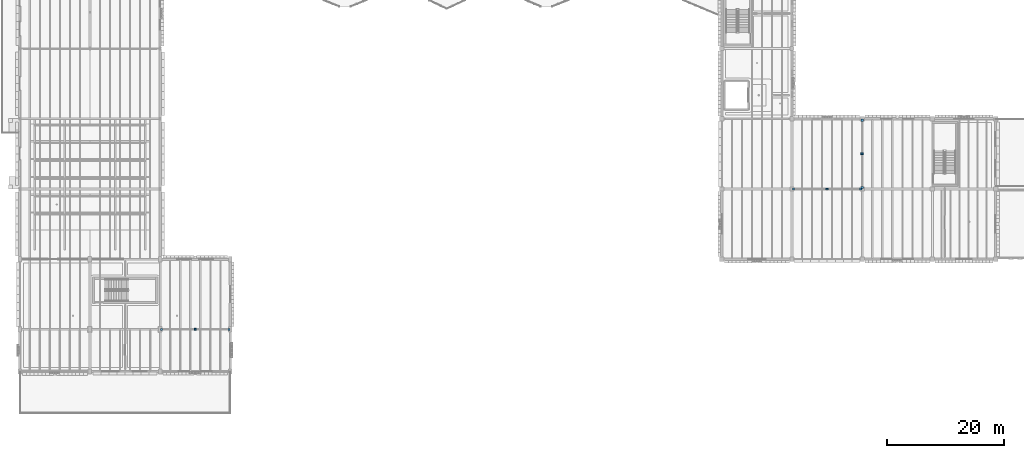
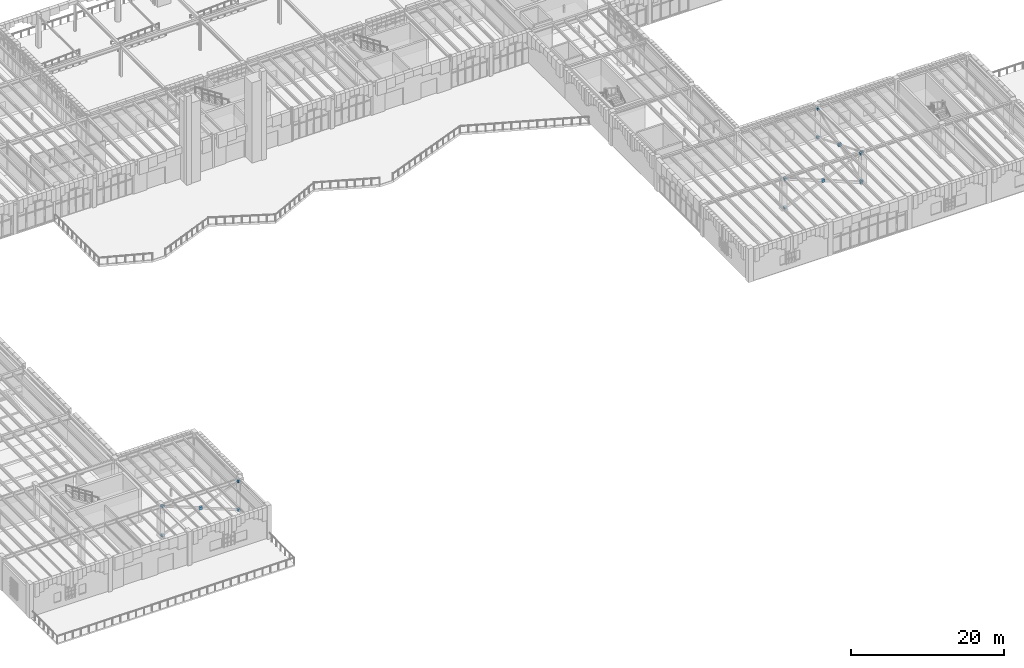
# One storey, part 50 of 103: 15 plates.
"""IFC4 building model written with IfcOpenShell, lengths in metres."""

from ifc_helpers import new_model, si_unit, direction, frame, origin, origin_2d, place, context, subcontext, project, spatial, rectangle, extrude, material, layer, layer_set, type_object, element, save


model = new_model("IFC4")

# Units and contexts
model_context = context("Model", 3, precision=1e-05, world=origin(), true_north=direction((0.0, 1.0)))
body_context = subcontext(model_context, "Body", "Model", "MODEL_VIEW")
ifc_project = project(units=[si_unit("LENGTHUNIT", "METRE"), si_unit("AREAUNIT", "SQUARE_METRE"), si_unit("VOLUMEUNIT", "CUBIC_METRE"), si_unit("PLANEANGLEUNIT", "RADIAN"), si_unit("MASSUNIT", "GRAM", prefix="KILO")], contexts=[model_context])

# Site, building, storey
site_placement = place(None, origin())
site = spatial("IfcSite", under=ifc_project, at=site_placement, CompositionType="ELEMENT")
building_placement = place(site_placement, origin())
building = spatial("IfcBuilding", under=site, at=building_placement, Name="Zlatogorsky Bluff Art Gallery", CompositionType="ELEMENT")
storey_placement = place(building_placement, origin())
storey = spatial("IfcBuildingStorey", under=building, at=storey_placement, Name="L00", CompositionType="ELEMENT", Elevation=0.0)

# Plates
ifc_material = material(Name="Steel S355", Category="steel")
ifc_layer_1 = layer(ifc_material, 0.260009765625)
ifc_layer_set_1 = layer_set([ifc_layer_1], Name="Node Plate CP-04")
plate_type_1 = type_object("IfcPlateType", Name="Node Plate CP-04", PredefinedType="USERDEFINED", material=ifc_layer_set_1)
for number, where, z_axis, x_axis, name in (
    (1, (132.25, 38.39990234375, -0.0302734375), (0.0, 0.0, 1.0), (1.0, 0.0, 0.0), "Brace end cap L00.2.A1"),
    (2, (143.75, 38.39990234375, 4.56982421875), (0.0, 0.0, 1.0), (1.0, 0.0, 0.0), "Brace end cap L00.2.B1"),
    (3, (132.25, 38.39990234375, 4.56982421875), (0.0, 0.0, 1.0), (1.0, 0.0, 0.0), "Brace end cap L00.2.A2"),
    (4, (143.75, 38.39990234375, -0.0302734375), (0.0, 0.0, 1.0), (1.0, 0.0, 0.0), "Brace end cap L00.2.B2"),
    (5, (144.0, 38.64990234375, -0.0302734375), (0.0, 0.0, 1.0), (1.0, 0.0, 0.0), "Brace end cap L00.4.A1"),
    (6, (144.0, 50.14990234375, 4.56982421875), (0.0, 0.0, 1.0), (1.0, 0.0, 0.0), "Brace end cap L00.4.B1"),
    (7, (144.0, 38.64990234375, 4.56982421875), (0.0, 0.0, 1.0), (1.0, 0.0, 0.0), "Brace end cap L00.4.A2"),
    (8, (144.0, 50.14990234375, -0.0302734375), (0.0, 0.0, 1.0), (1.0, 0.0, 0.0), "Brace end cap L00.4.B2"),
    (9, (24.25, 14.39990234375, -0.0302734375), (0.0, 0.0, 1.0), (1.0, 0.0, 0.0), "Brace end cap L00.6.A1"),
    (10, (35.75, 14.39990234375, 4.56982421875), (0.0, 0.0, 1.0), (1.0, 0.0, 0.0), "Brace end cap L00.6.B1"),
    (11, (24.25, 14.39990234375, 4.56982421875), (0.0, 0.0, 1.0), (1.0, 0.0, 0.0), "Brace end cap L00.6.A2"),
    (12, (35.75, 14.39990234375, -0.0302734375), (0.0, 0.0, 1.0), (1.0, 0.0, 0.0), "Brace end cap L00.6.B2"),
):
    element("IfcPlate", number, at=place(storey_placement, frame(where, z_axis=z_axis, x_axis=x_axis)), inside=storey, type_object=plate_type_1, Name=name, ObjectType="CAP PLATE", PredefinedType="USERDEFINED", context=body_context, shape_type="SweptSolid", body=[
        extrude(rectangle(XDim=0.360107421875, YDim=0.360107421875, at=origin_2d()), origin(), (0.0, 0.0, 1.0), 0.360107421875),
    ])
ifc_layer_2 = layer(ifc_material, 0.02001953125)
ifc_layer_set_2 = layer_set([ifc_layer_2], Name="Node Plate GP-03")
plate_type_2 = type_object("IfcPlateType", Name="Node Plate GP-03", PredefinedType="USERDEFINED", material=ifc_layer_set_2)
for number, where, z_axis, x_axis, name in (
    (13, (138.0, 38.39990234375, 2.239990234375), (0.0, 0.0, 1.0), (1.0, 0.0, 0.0), "X-brace central gusset plate L00.2"),
    (14, (144.0, 44.39990234375, 2.239990234375), (0.0, 0.0, 1.0), (1.0, 0.0, 0.0), "X-brace central gusset plate L00.4"),
    (15, (30.0, 14.39990234375, 2.239990234375), (0.0, 0.0, 1.0), (1.0, 0.0, 0.0), "X-brace central gusset plate L00.6"),
):
    element("IfcPlate", number, at=place(storey_placement, frame(where, z_axis=z_axis, x_axis=x_axis)), inside=storey, type_object=plate_type_2, Name=name, ObjectType="GUSSET PLATE", PredefinedType="USERDEFINED", context=body_context, shape_type="SweptSolid", body=[
        extrude(rectangle(XDim=0.419921875, YDim=0.320068359375, at=origin_2d()), origin(), (0.0, 0.0, 1.0), 0.419921875),
    ])

save(model, "model.ifc")
